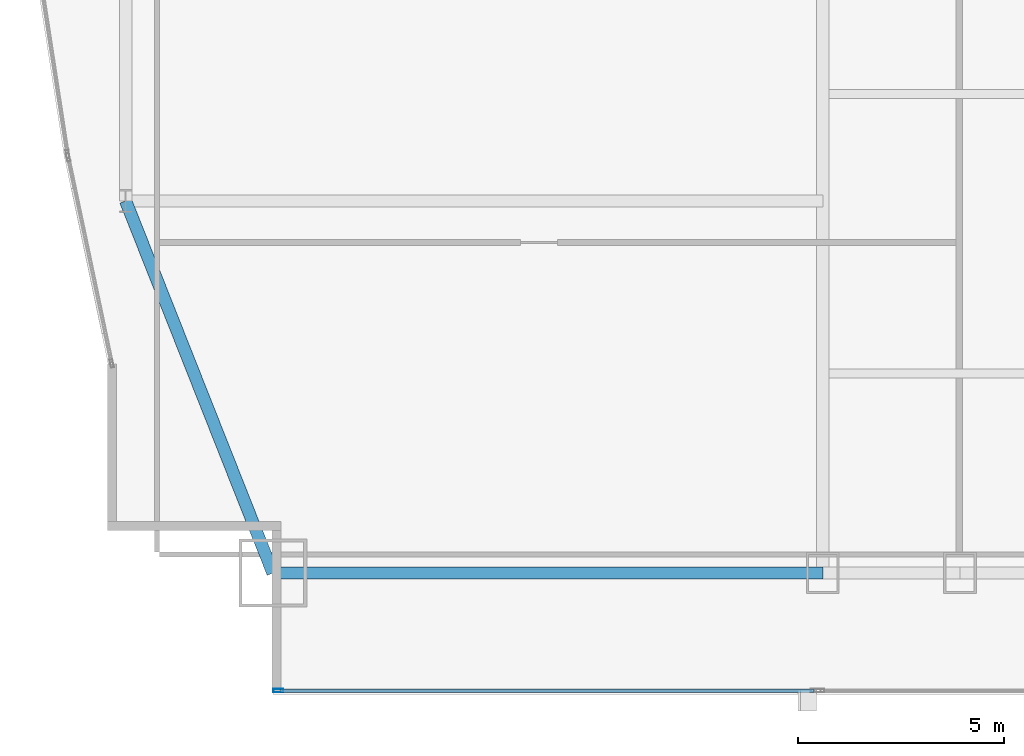
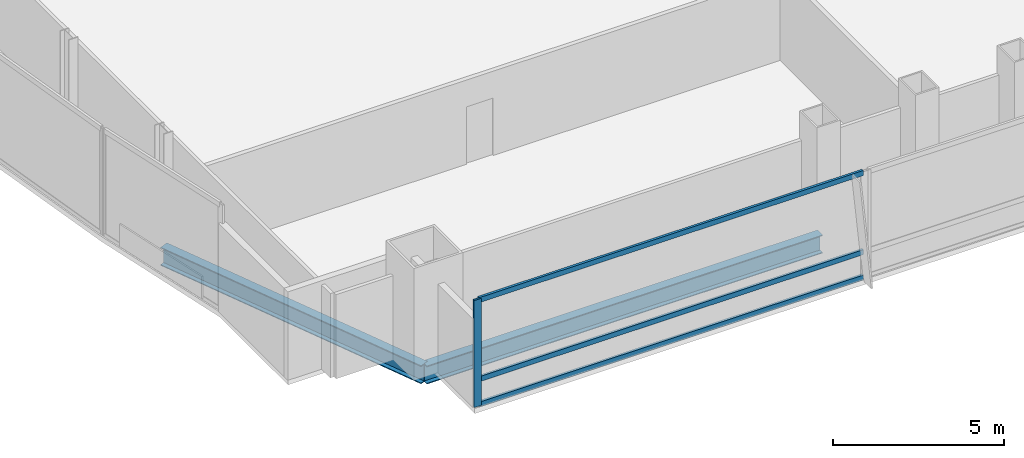
# One storey, part 5 of 35: 4 members, 2 beams, 1 element without a shape of its own.
"""IFC4 building model written with IfcOpenShell, lengths in metres."""

from ifc_helpers import new_model, si_unit, direction, frame, origin, origin_2d, place, context, subcontext, project, spatial, hollow_rectangle, i_section, extrude, material, material_profile, profile_set, type_object, element, aggregate, save


model = new_model("IFC4")

# Units and contexts
model_context = context("Model", 3, precision=1e-05, world=origin(), true_north=direction((0.0, 1.0)))
body_context = subcontext(model_context, "Body", "Model", "MODEL_VIEW")
ifc_project = project(units=[si_unit("LENGTHUNIT", "METRE"), si_unit("AREAUNIT", "SQUARE_METRE"), si_unit("VOLUMEUNIT", "CUBIC_METRE"), si_unit("PLANEANGLEUNIT", "RADIAN"), si_unit("MASSUNIT", "GRAM", prefix="KILO")], contexts=[model_context])

# Site, building, storey
site_placement = place(None, origin())
site = spatial("IfcSite", under=ifc_project, at=site_placement, CompositionType="ELEMENT")
building_placement = place(site_placement, origin())
building = spatial("IfcBuilding", under=site, at=building_placement, Name="Khoronbel Lancet Exchange", CompositionType="ELEMENT")
storey_placement = place(building_placement, frame((0.0, 0.0, 53.800048828125)))
storey = spatial("IfcBuildingStorey", under=building, at=storey_placement, Name="L12", CompositionType="ELEMENT", Elevation=53.800048828125)

# Beams
ifc_material_1 = material(Name="Steel S355", Category="steel")
ifc_material_profile_1 = material_profile(ifc_material_1, i_section(OverallWidth=0.300048828125, OverallDepth=0.64990234375, WebThickness=0.01611328125, FlangeThickness=0.031005859375, at=origin_2d()), Name="HEB 650")
ifc_profile_set_1 = profile_set([ifc_material_profile_1], Name="Steel S355")
beam_type = type_object("IfcBeamType", Name="BM-BSP1", PredefinedType="SPANDREL", material=ifc_profile_set_1)
beam_1_placement = place(storey_placement, frame((4.85009765625, 10.14990234375, -0.505126953125), z_axis=(1.0, 0.0, 0.0), x_axis=(0.0, 1.0, 0.0)))
element("IfcBeam", 1, at=beam_1_placement, inside=storey, type_object=beam_type, Name="Level L12 perimeter spandrel beam SP01", PredefinedType="SPANDREL", context=body_context, shape_type="SweptSolid", body=[
    extrude(i_section(OverallWidth=0.300048828125, OverallDepth=0.64990234375, WebThickness=0.01611328125, FlangeThickness=0.031005859375, at=origin_2d()), origin(), (0.0, 0.0, 1.0), 13.375),
])
beam_2_placement = place(storey_placement, frame((1.27001953125, 19.199951171875, -0.505126953125), z_axis=(0.367850095026, -0.92988510451, 0.0), x_axis=(0.92988510451, 0.367850095026, 0.0)))
element("IfcBeam", 2, at=beam_2_placement, inside=storey, type_object=beam_type, Name="Level L12 perimeter spandrel beam SP21", PredefinedType="SPANDREL", context=body_context, shape_type="SweptSolid", body=[
    extrude(i_section(OverallWidth=0.300048828125, OverallDepth=0.64990234375, WebThickness=0.01611328125, FlangeThickness=0.031005859375, at=origin_2d()), origin(), (0.0, 0.0, 1.0), 9.732421875),
])

# Curtain wall, members
ifc_material_2 = material(Name="Low-E Solar Control Insulating Glass", Category="glass")
curtain_wall_type = type_object("IfcCurtainWallType", Name="CW-1", PredefinedType="NOTDEFINED", material=ifc_material_2)
curtain_wall_placement = place(storey_placement, origin())
curtain_wall = element("IfcCurtainWall", 3, at=curtain_wall_placement, inside=storey, type_object=curtain_wall_type, Name="Unitised curtain wall CW-L12-SWV", PredefinedType="NOTDEFINED")
ifc_material_3 = material(Name="Bronze-Anodised Aluminium 6063-T6", Category="aluminium")
ifc_material_profile_2 = material_profile(ifc_material_3, hollow_rectangle(XDim=0.0849609375, YDim=0.239990234375, WallThickness=0.006103515625, at=origin_2d()), Name="ALU MULLION 85x240")
ifc_profile_set_2 = profile_set([ifc_material_profile_2], Name="Bronze-Anodised Aluminium 6063-T6")
member_type_1 = type_object("IfcMemberType", Name="MEM-CWM1", PredefinedType="MULLION", material=ifc_profile_set_2)
member_1_placement = place(storey_placement, frame((4.982421875, 7.2900390625, 0.0), z_axis=(0.0, 0.0, 1.0), x_axis=(0.0, 1.0, 0.0)))
member_1 = element("IfcMember", 4, at=member_1_placement, type_object=member_type_1, Name="CW1 mullion 1", PredefinedType="MULLION", context=body_context, shape_type="SweptSolid", body=[
    extrude(hollow_rectangle(XDim=0.0849609375, YDim=0.239990234375, WallThickness=0.006103515625, at=origin_2d()), origin(), (0.0, 0.0, 1.0), 3.820068359375),
])
ifc_material_profile_3 = material_profile(ifc_material_3, hollow_rectangle(XDim=0.0849609375, YDim=0.179931640625, WallThickness=0.0048828125, at=origin_2d()), Name="ALU TRANSOM 85x180")
ifc_profile_set_3 = profile_set([ifc_material_profile_3], Name="Bronze-Anodised Aluminium 6063-T6")
member_type_2 = type_object("IfcMemberType", Name="MEM-CWT1", PredefinedType="USERDEFINED", material=ifc_profile_set_3)
member_2_placement = place(storey_placement, frame((5.02490234375, 7.2900390625, 0.04248046875), z_axis=(1.0, 0.0, 0.0), x_axis=(0.0, 1.0, 0.0)))
member_2 = element("IfcMember", 5, at=member_2_placement, type_object=member_type_2, Name="CW1 transom 1.1", ObjectType="TRANSOM", PredefinedType="USERDEFINED", context=body_context, shape_type="SweptSolid", body=[
    extrude(hollow_rectangle(XDim=0.0849609375, YDim=0.179931640625, WallThickness=0.0048828125, at=origin_2d()), origin(), (0.0, 0.0, 1.0), 12.989990234375),
])
member_3_placement = place(storey_placement, frame((5.02490234375, 7.2900390625, 0.949951171875), z_axis=(1.0, 0.0, 0.0), x_axis=(0.0, 1.0, 0.0)))
member_3 = element("IfcMember", 6, at=member_3_placement, type_object=member_type_2, Name="CW1 transom 1.2", ObjectType="TRANSOM", PredefinedType="USERDEFINED", context=body_context, shape_type="SweptSolid", body=[
    extrude(hollow_rectangle(XDim=0.0849609375, YDim=0.179931640625, WallThickness=0.0048828125, at=origin_2d()), origin(), (0.0, 0.0, 1.0), 12.989990234375),
])
member_4_placement = place(storey_placement, frame((5.02490234375, 7.2900390625, 3.77734375), z_axis=(1.0, 0.0, 0.0), x_axis=(0.0, 1.0, 0.0)))
member_4 = element("IfcMember", 7, at=member_4_placement, type_object=member_type_2, Name="CW1 transom 1.3", ObjectType="TRANSOM", PredefinedType="USERDEFINED", context=body_context, shape_type="SweptSolid", body=[
    extrude(hollow_rectangle(XDim=0.0849609375, YDim=0.179931640625, WallThickness=0.0048828125, at=origin_2d()), origin(), (0.0, 0.0, 1.0), 12.989990234375),
])
aggregate(curtain_wall, [member_1, member_2, member_3, member_4])

save(model, "model.ifc")
